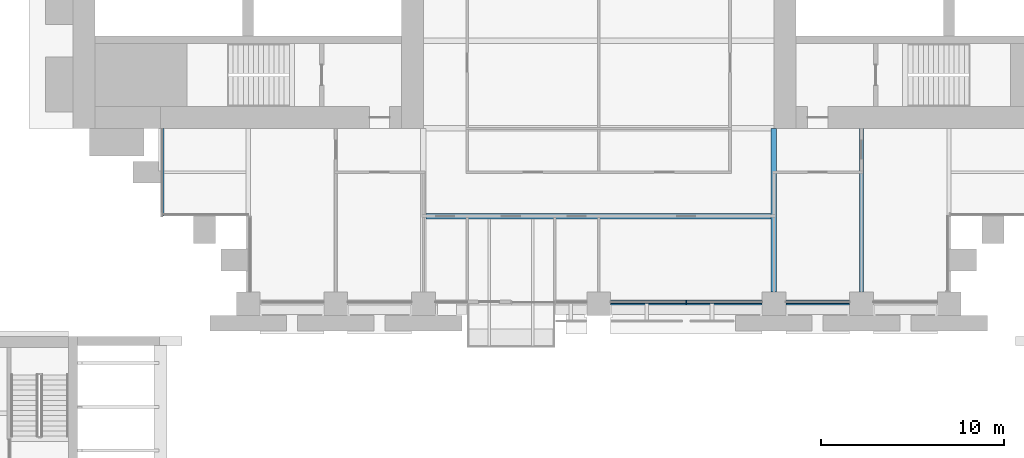
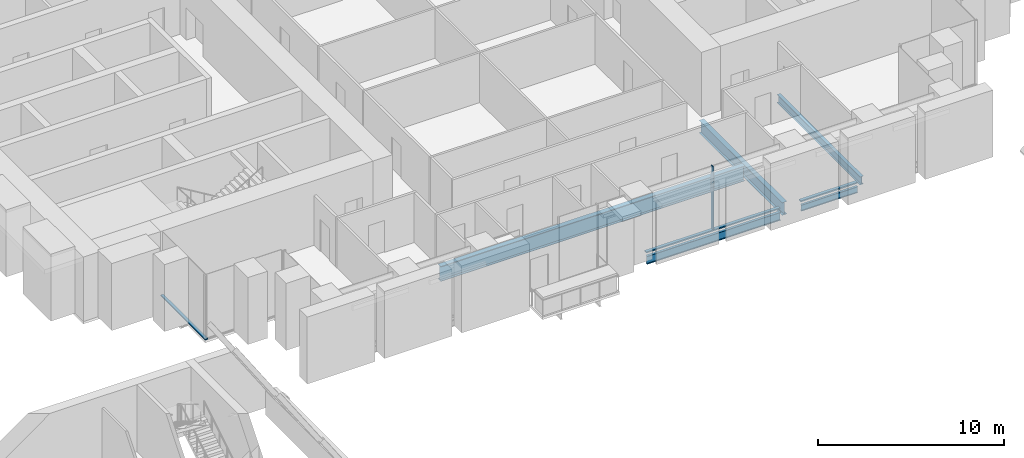
# One storey, part 6 of 32: 5 beams, 4 members, 2 elements without a shape of their own.
"""IFC4 building model written with IfcOpenShell, lengths in metres."""

from ifc_helpers import new_model, si_unit, direction, frame, origin, origin_2d, place, context, subcontext, project, spatial, rectangle, i_section, extrude, material, material_profile, profile_set, type_object, element, aggregate, save


model = new_model("IFC4")

# Units and contexts
model_context = context("Model", 3, precision=1e-05, world=origin(), true_north=direction((0.0, 1.0)))
body_context = subcontext(model_context, "Body", "Model", "MODEL_VIEW")
ifc_project = project(units=[si_unit("LENGTHUNIT", "METRE"), si_unit("AREAUNIT", "SQUARE_METRE"), si_unit("VOLUMEUNIT", "CUBIC_METRE"), si_unit("PLANEANGLEUNIT", "RADIAN"), si_unit("MASSUNIT", "GRAM", prefix="KILO")], contexts=[model_context])

# Site, building, storey
site_placement = place(None, origin())
site = spatial("IfcSite", under=ifc_project, at=site_placement, CompositionType="ELEMENT")
building_placement = place(site_placement, origin())
building = spatial("IfcBuilding", under=site, at=building_placement, Name="Baori Bourse Tower", CompositionType="ELEMENT")
storey_placement = place(building_placement, frame((0.0, 0.0, 21.39990234375)))
storey = spatial("IfcBuildingStorey", under=building, at=storey_placement, Name="L03", CompositionType="ELEMENT", Elevation=21.39990234375)

# Curtain wall, members
ifc_material_1 = material(Name="Pale anodised aluminium", Category="aluminium")
curtain_wall_type_1 = type_object("IfcCurtainWallType", Name="CW1 Curtain wall", PredefinedType="NOTDEFINED", material=ifc_material_1)
curtain_wall_1_placement = place(storey_placement, origin())
curtain_wall_1 = element("IfcCurtainWall", 1, at=curtain_wall_1_placement, inside=storey, type_object=curtain_wall_type_1, Name="Curtain wall CW1 L03 15", PredefinedType="NOTDEFINED")
ifc_material_2 = material(Name="Pale anodised aluminium", Category="aluminium")
ifc_material_profile_1 = material_profile(ifc_material_2, rectangle(XDim=0.199951171875, YDim=0.06005859375, at=origin_2d()), Name="Mullion 60x200")
ifc_profile_set_1 = profile_set([ifc_material_profile_1], Name="Pale anodised aluminium")
member_type_1 = type_object("IfcMemberType", Name="CW1 Curtain wall mullion", PredefinedType="MULLION", material=ifc_profile_set_1)
member_1_placement = place(storey_placement, frame((33.60009765625, 0.10009765625, 0.080078125), z_axis=(0.0, 0.0, 1.0), x_axis=(0.0, 1.0, 0.0)))
member_1 = element("IfcMember", 2, at=member_1_placement, type_object=member_type_1, Name="Curtain wall CW1 mullion", PredefinedType="MULLION", context=body_context, shape_type="SweptSolid", body=[
    extrude(rectangle(XDim=0.199951171875, YDim=0.06005859375, at=origin_2d()), origin(), (0.0, 0.0, 1.0), 4.159912109375),
])
ifc_material_3 = material(Name="Pale anodised aluminium", Category="aluminium")
ifc_material_profile_2 = material_profile(ifc_material_3, rectangle(XDim=0.199951171875, YDim=0.080078125, at=origin_2d()), Name="Transom 80x200")
ifc_profile_set_2 = profile_set([ifc_material_profile_2], Name="Pale anodised aluminium")
member_type_2 = type_object("IfcMemberType", Name="CW1 Curtain wall transom", PredefinedType="USERDEFINED", material=ifc_profile_set_2)
member_2_placement = place(storey_placement, frame((29.449951171875, 0.10009765625, 0.0400390625), z_axis=(1.0, 0.0, 0.0), x_axis=(0.0, 1.0, 0.0)))
member_2 = element("IfcMember", 3, at=member_2_placement, type_object=member_type_2, Name="Curtain wall CW1 sill rail", ObjectType="TRANSOM", PredefinedType="USERDEFINED", context=body_context, shape_type="SweptSolid", body=[
    extrude(rectangle(XDim=0.199951171875, YDim=0.080078125, at=origin_2d()), origin(), (0.0, 0.0, 1.0), 8.300048828125),
])
member_3_placement = place(storey_placement, frame((39.050048828125, 0.10009765625, 0.0400390625), z_axis=(1.0, 0.0, 0.0), x_axis=(0.0, 1.0, 0.0)))
member_3 = element("IfcMember", 4, at=member_3_placement, type_object=member_type_2, Name="Curtain wall CW1 sill rail", ObjectType="TRANSOM", PredefinedType="USERDEFINED", context=body_context, shape_type="SweptSolid", body=[
    extrude(rectangle(XDim=0.199951171875, YDim=0.080078125, at=origin_2d()), origin(), (0.0, 0.0, 1.0), 3.5),
])
aggregate(curtain_wall_1, [member_2, member_1, member_3])

# Curtain wall, member
ifc_material_4 = material(Name="Pale anodised aluminium", Category="aluminium")
curtain_wall_type_2 = type_object("IfcCurtainWallType", Name="CW2 Curtain wall", PredefinedType="NOTDEFINED", material=ifc_material_4)
curtain_wall_2_placement = place(storey_placement, origin())
curtain_wall_2 = element("IfcCurtainWall", 5, at=curtain_wall_2_placement, inside=storey, type_object=curtain_wall_type_2, Name="Curtain wall CW2 L03 10", PredefinedType="NOTDEFINED")
ifc_material_5 = material(Name="Pale anodised aluminium", Category="aluminium")
ifc_material_profile_3 = material_profile(ifc_material_5, rectangle(XDim=0.179931640625, YDim=0.070068359375, at=origin_2d()), Name="Transom 70x180")
ifc_profile_set_3 = profile_set([ifc_material_profile_3], Name="Pale anodised aluminium")
member_type_3 = type_object("IfcMemberType", Name="CW2 Curtain wall transom", PredefinedType="USERDEFINED", material=ifc_profile_set_3)
member_4_placement = place(storey_placement, frame((4.889892578125, 9.60009765625, 0.03515625), z_axis=(0.0, -1.0, 0.0), x_axis=(1.0, 0.0, 0.0)))
member_4 = element("IfcMember", 6, at=member_4_placement, type_object=member_type_3, Name="Curtain wall CW2 sill rail", ObjectType="TRANSOM", PredefinedType="USERDEFINED", context=body_context, shape_type="SweptSolid", body=[
    extrude(rectangle(XDim=0.179931640625, YDim=0.070068359375, at=origin_2d()), origin(), (0.0, 0.0, 1.0), 4.800048828125),
])
aggregate(curtain_wall_2, [member_4])

# Beams
ifc_material_6 = material(Name="Steel A992 Gr 50", Category="steel")
ifc_material_profile_4 = material_profile(ifc_material_6, i_section(OverallWidth=0.140380859375, OverallDepth=0.40380859375, WebThickness=0.007080078125, FlangeThickness=0.01123046875, at=origin_2d()), Name="W16x31")
ifc_profile_set_4 = profile_set([ifc_material_profile_4], Name="Steel A992 Gr 50")
beam_type_1 = type_object("IfcBeamType", Name="Edge beam W16x31", PredefinedType="BEAM", material=ifc_profile_set_4)
beam_1_placement = place(storey_placement, frame((39.050048828125, 0.0, -0.36181640625), z_axis=(1.0, 0.0, 0.0), x_axis=(0.0, 1.0, 0.0)))
element("IfcBeam", 7, at=beam_1_placement, inside=storey, type_object=beam_type_1, Name="Edge beam L03", PredefinedType="BEAM", context=body_context, shape_type="SweptSolid", body=[
    extrude(i_section(OverallWidth=0.140380859375, OverallDepth=0.40380859375, WebThickness=0.007080078125, FlangeThickness=0.01123046875, at=origin_2d()), origin(), (0.0, 0.0, 1.0), 3.5),
])
ifc_material_7 = material(Name="Steel A992 Gr 50", Category="steel")
ifc_material_profile_5 = material_profile(ifc_material_7, i_section(OverallWidth=0.1650390625, OverallDepth=0.52587890625, WebThickness=0.0087890625, FlangeThickness=0.011474609375, at=origin_2d()), Name="W21x44")
ifc_profile_set_5 = profile_set([ifc_material_profile_5], Name="Steel A992 Gr 50")
beam_type_2 = type_object("IfcBeamType", Name="Edge beam W21x44", PredefinedType="BEAM", material=ifc_profile_set_5)
beam_2_placement = place(storey_placement, frame((29.449951171875, 0.0, -0.4228515625), z_axis=(1.0, 0.0, 0.0), x_axis=(0.0, 1.0, 0.0)))
element("IfcBeam", 8, at=beam_2_placement, inside=storey, type_object=beam_type_2, Name="Edge beam L03", PredefinedType="BEAM", context=body_context, shape_type="SweptSolid", body=[
    extrude(i_section(OverallWidth=0.1650390625, OverallDepth=0.52587890625, WebThickness=0.0087890625, FlangeThickness=0.011474609375, at=origin_2d()), origin(), (0.0, 0.0, 1.0), 8.300048828125),
])
ifc_material_8 = material(Name="Steel A992 Gr 50", Category="steel")
ifc_material_profile_6 = material_profile(ifc_material_8, i_section(OverallWidth=0.209228515625, OverallDepth=0.533447265625, WebThickness=0.01025390625, FlangeThickness=0.015625, at=origin_2d()), Name="W21x62")
ifc_profile_set_6 = profile_set([ifc_material_profile_6], Name="Steel A992 Gr 50")
beam_type_3 = type_object("IfcBeamType", Name="Floor beam W21x62", PredefinedType="BEAM", material=ifc_profile_set_6)
beam_3_placement = place(storey_placement, frame((43.199951171875, 0.64990234375, -0.426513671875), z_axis=(0.0, 1.0, 0.0), x_axis=(-1.0, 0.0, 0.0)))
element("IfcBeam", 9, at=beam_3_placement, inside=storey, type_object=beam_type_3, Name="Floor beam L03", PredefinedType="BEAM", context=body_context, shape_type="SweptSolid", body=[
    extrude(i_section(OverallWidth=0.209228515625, OverallDepth=0.533447265625, WebThickness=0.01025390625, FlangeThickness=0.015625, at=origin_2d()), origin(), (0.0, 0.0, 1.0), 8.9501953125),
])
ifc_material_9 = material(Name="Steel A992 Gr 50", Category="steel")
ifc_material_profile_7 = material_profile(ifc_material_9, i_section(OverallWidth=0.2998046875, OverallDepth=0.990478515625, WebThickness=0.0166015625, FlangeThickness=0.030517578125, at=origin_2d()), Name="W40x183")
ifc_profile_set_7 = profile_set([ifc_material_profile_7], Name="Steel A992 Gr 50")
beam_type_4 = type_object("IfcBeamType", Name="Floor beam W40x183", PredefinedType="BEAM", material=ifc_profile_set_7)
beam_4_placement = place(storey_placement, frame((19.352294921875, 4.800048828125, -0.6552734375), z_axis=(1.0, 0.0, 0.0), x_axis=(0.0, 1.0, 0.0)))
element("IfcBeam", 10, at=beam_4_placement, inside=storey, type_object=beam_type_4, Name="Floor beam L03", PredefinedType="BEAM", context=body_context, shape_type="SweptSolid", body=[
    extrude(i_section(OverallWidth=0.2998046875, OverallDepth=0.990478515625, WebThickness=0.0166015625, FlangeThickness=0.030517578125, at=origin_2d()), origin(), (0.0, 0.0, 1.0), 18.901611328125),
])
ifc_material_10 = material(Name="Steel A992 Gr 50", Category="steel")
ifc_material_profile_8 = material_profile(ifc_material_10, i_section(OverallWidth=0.2919921875, OverallDepth=0.835693359375, WebThickness=0.013916015625, FlangeThickness=0.018798828125, at=origin_2d()), Name="W33x118")
ifc_profile_set_8 = profile_set([ifc_material_profile_8], Name="Steel A992 Gr 50")
beam_type_5 = type_object("IfcBeamType", Name="Girder W33x118", PredefinedType="BEAM", material=ifc_profile_set_8)
beam_5_placement = place(storey_placement, frame((38.39990234375, 0.64990234375, -0.57763671875), z_axis=(0.0, 1.0, 0.0), x_axis=(-1.0, 0.0, 0.0)))
element("IfcBeam", 11, at=beam_5_placement, inside=storey, type_object=beam_type_5, Name="Girder L03", PredefinedType="BEAM", context=body_context, shape_type="SweptSolid", body=[
    extrude(i_section(OverallWidth=0.2919921875, OverallDepth=0.835693359375, WebThickness=0.013916015625, FlangeThickness=0.018798828125, at=origin_2d()), origin(), (0.0, 0.0, 1.0), 8.9501953125),
])

save(model, "model.ifc")
